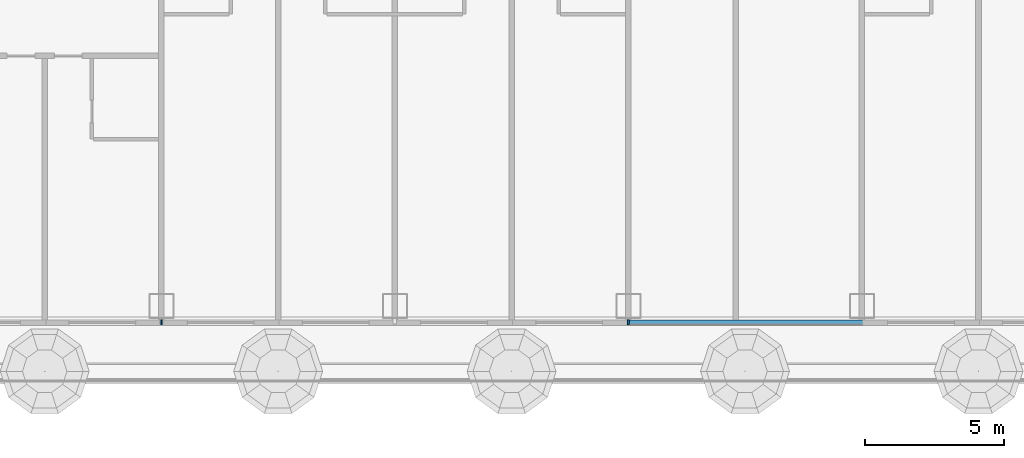
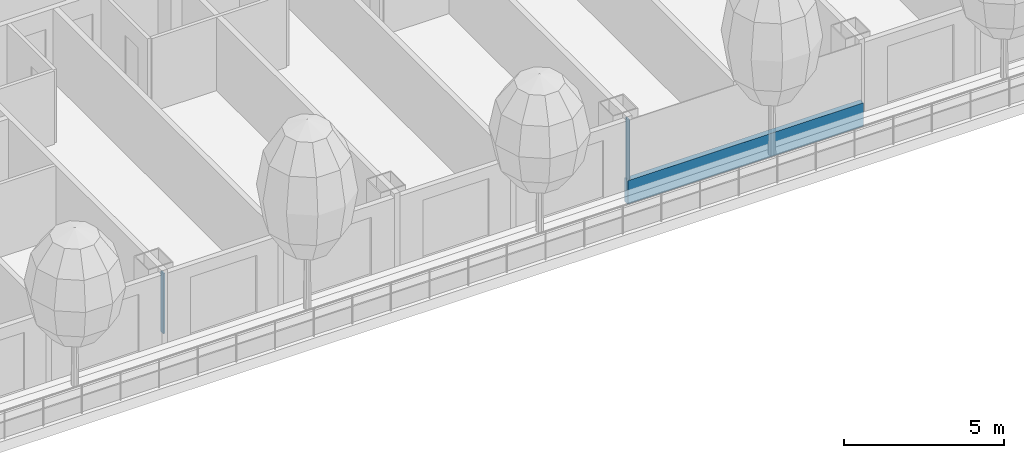
# One storey, part 4 of 37: 3 members, 1 element without a shape of its own.
"""IFC4 building model written with IfcOpenShell, lengths in metres."""

import ifcopenshell
import ifcopenshell.guid

model = None  # the IFC model being written
_history = None  # IfcOwnerHistory: only IFC2X3 demands one
_inside = {}  # id of a spatial element -> (the spatial element, [elements in it])
_under = {}  # id of a project, library or spatial element -> (it, [spatial elements below it])
_declared = {}  # id of a project -> (the project, [libraries it declares])
_typed = {}  # id of a type object -> (the type object, [elements of that type])
_made_of = {}  # id of a material, layer set ... -> (it, [elements and type objects made of it])


def new_model(schema):
    """Start an empty IFC model of exactly this schema.

    Asked for "IFC4X3", IfcOpenShell would pick the latest addendum, in which some entities
    have other attributes; the version numbers below select the first issue.
    IFC2X3 requires an IfcOwnerHistory on every rooted entity: one is made here for all.
    """
    global model, _history
    if schema == "IFC4X3":
        model = ifcopenshell.file(schema_version=(4, 3, 0, 0))
    else:
        model = ifcopenshell.file(schema=schema)
    _inside.clear()
    _under.clear()
    _declared.clear()
    _typed.clear()
    _made_of.clear()
    _history = None
    if model.schema == "IFC2X3":
        org = make("IfcOrganization", Name="unknown")
        user = make(
            "IfcPersonAndOrganization",
            ThePerson=make("IfcPerson", FamilyName="unknown"),
            TheOrganization=org,
        )
        app = make(
            "IfcApplication",
            ApplicationDeveloper=org,
            Version="unknown",
            ApplicationFullName="unknown",
            ApplicationIdentifier="unknown",
        )
        _history = make(
            "IfcOwnerHistory",
            OwningUser=user,
            OwningApplication=app,
            ChangeAction="ADDED",
            CreationDate=0,
        )
    return model


def make(cls, **values):
    """One entity of the class cls with the attributes given. An attribute that is None is left unset."""
    return model.create_entity(
        cls, **{name: value for name, value in values.items() if value is not None}
    )


def rooted(cls, **values):
    """An entity with a GlobalId (a new one), such as an element, a storey or a relation."""
    return make(cls, GlobalId=ifcopenshell.guid.new(), OwnerHistory=_history, **values)


def si_unit(unit_type, name, prefix=None):
    """IfcSIUnit, for example si_unit("LENGTHUNIT", "METRE", prefix="MILLI")."""
    return make("IfcSIUnit", UnitType=unit_type, Prefix=prefix, Name=name)


def assignment(units):
    """IfcUnitAssignment: the units of a project."""
    return None if units is None else make("IfcUnitAssignment", Units=units)


def point(xyz):
    """IfcCartesianPoint."""
    return None if xyz is None else make("IfcCartesianPoint", Coordinates=xyz)


def direction(xyz):
    """IfcDirection."""
    return None if xyz is None else make("IfcDirection", DirectionRatios=xyz)


def frame(location, z_axis=None, x_axis=None):
    """IfcAxis2Placement3D, a coordinate frame: its origin and axes. An axis left out is left unset."""
    return make(
        "IfcAxis2Placement3D",
        Location=point(location),
        Axis=direction(z_axis),
        RefDirection=direction(x_axis),
    )


def frame_2d(location, x_axis=None):
    """IfcAxis2Placement2D, a coordinate frame in the plane: its origin and x axis."""
    return make(
        "IfcAxis2Placement2D", Location=point(location), RefDirection=direction(x_axis)
    )


def origin():
    """The frame at (0, 0, 0) with its axes left unset."""
    return frame((0.0, 0.0, 0.0))


def origin_2d():
    """The frame at (0, 0) in the plane with its x axis left unset."""
    return frame_2d((0.0, 0.0))


def place(relative_to, where):
    """IfcLocalPlacement: puts the frame where relative to a parent placement (None: the world)."""
    return make(
        "IfcLocalPlacement", PlacementRelTo=relative_to, RelativePlacement=where
    )


def context(
    kind, dimensions, precision=None, world=None, true_north=None, identifier=None
):
    """IfcGeometricRepresentationContext, for example the 3D "Model" context."""
    return make(
        "IfcGeometricRepresentationContext",
        ContextIdentifier=identifier,
        ContextType=kind,
        CoordinateSpaceDimension=dimensions,
        Precision=precision,
        WorldCoordinateSystem=world,
        TrueNorth=true_north,
    )


def subcontext(parent, identifier, kind, view, scale=None):
    """IfcGeometricRepresentationSubContext, for example "Body" below "Model"."""
    return make(
        "IfcGeometricRepresentationSubContext",
        ContextIdentifier=identifier,
        ContextType=kind,
        ParentContext=parent,
        TargetScale=scale,
        TargetView=view,
    )


def project(units=None, contexts=None):
    """IfcProject with its units and contexts."""
    return rooted(
        "IfcProject",
        Name="project",
        RepresentationContexts=contexts,
        UnitsInContext=assignment(units),
    )


def spatial(cls, under=None, at=None, **own):
    """A site, building, storey or space (cls), placed at a placement, below another one or the project."""
    s = rooted(cls, ObjectPlacement=at, **own)
    if under is not None:
        _under.setdefault(under.id(), (under, []))[1].append(s)
    return s


def profile(cls, at=None, kind="AREA", **sizes):
    """A parametric profile (cls). Its sizes go by their IFC names, for example OverallWidth=200.0."""
    return make(cls, ProfileType=kind, Position=at, **sizes)


def rectangle(**sizes):
    """IfcRectangleProfileDef."""
    return profile("IfcRectangleProfileDef", **sizes)


def extrude(swept, where, along, depth):
    """IfcExtrudedAreaSolid: the profile swept, set in the frame where, extruded along a direction by depth."""
    return make(
        "IfcExtrudedAreaSolid",
        SweptArea=swept,
        Position=where,
        ExtrudedDirection=direction(along),
        Depth=depth,
    )


def shape(context_of_items, identifier, shape_type, items):
    """IfcShapeRepresentation: the items that make up one representation, for example the "Body"."""
    return make(
        "IfcShapeRepresentation",
        ContextOfItems=context_of_items,
        RepresentationIdentifier=identifier,
        RepresentationType=shape_type,
        Items=items,
    )


def material(Name=None, Category=None):
    """IfcMaterial."""
    return make("IfcMaterial", Name=Name, Category=Category)


def layer(
    of_material, thickness, ventilated=None, Name=None, Category=None, Priority=None
):
    """IfcMaterialLayer: one layer of a wall or slab, of a material (None: an air gap)."""
    return make(
        "IfcMaterialLayer",
        Material=of_material,
        LayerThickness=thickness,
        IsVentilated=ventilated,
        Name=Name,
        Category=Category,
        Priority=Priority,
    )


def layer_set(layers, Name=None):
    """IfcMaterialLayerSet."""
    return make("IfcMaterialLayerSet", MaterialLayers=layers, LayerSetName=Name)


def material_profile(
    of_material, cross_section, Name=None, Category=None, Priority=None
):
    """IfcMaterialProfile: a cross section and its material."""
    return make(
        "IfcMaterialProfile",
        Name=Name,
        Material=of_material,
        Profile=cross_section,
        Priority=Priority,
        Category=Category,
    )


def profile_set(profiles, Name=None, composite=None):
    """IfcMaterialProfileSet."""
    return make(
        "IfcMaterialProfileSet",
        Name=Name,
        MaterialProfiles=profiles,
        CompositeProfile=composite,
    )


def made_of(thing, what):
    """Note that an element or type object is made of a material, layer set ...; save() writes the relation."""
    if what is not None:
        _made_of.setdefault(what.id(), (what, []))[1].append(thing)
    return thing


def type_object(cls, material=None, **own):
    """A type object (cls), such as IfcWallType, which elements share."""
    return made_of(rooted(cls, **own), material)


def element(
    cls,
    number,
    at=None,
    inside=None,
    cuts=None,
    type_object=None,
    material=None,
    context=None,
    identifier="Body",
    shape_type=None,
    held_by="IfcProductDefinitionShape",
    body=None,
    shapes=None,
    **own,
):
    """One element of the class cls, such as IfcWall. Its Tag is "e" and its number.

    at: its placement. inside: the storey or other place that contains it. cuts: it is an
    opening in that element (IfcRelVoidsElement). A single representation is given by context,
    identifier, shape_type and body (its items); several are given by shapes. held_by: the class
    of the entity that holds the representations. save() writes the other relations.
    """
    e = rooted(cls, Tag="e%d" % number, ObjectPlacement=at, **own)
    if body is not None:
        shapes = [shape(context, identifier, shape_type, body)]
    if shapes is not None:
        e.Representation = make(held_by, Representations=shapes)
    if inside is not None:
        _inside.setdefault(inside.id(), (inside, []))[1].append(e)
    if cuts is not None:
        rooted(
            "IfcRelVoidsElement", RelatingBuildingElement=cuts, RelatedOpeningElement=e
        )
    if type_object is not None:
        _typed.setdefault(type_object.id(), (type_object, []))[1].append(e)
    return made_of(e, material)


def aggregate(whole, parts):
    """IfcRelAggregates: a whole, such as a stair, and the parts it consists of."""
    return rooted("IfcRelAggregates", RelatingObject=whole, RelatedObjects=parts)


def save(model, path):
    """Write the relations noted so far, then the file.

    IfcRelAggregates (storeys below a building ...), IfcRelContainedInSpatialStructure (elements
    in a storey), IfcRelDefinesByType, IfcRelAssociatesMaterial and IfcRelDeclares: one each for
    every whole, place, type object, material and project.
    """
    for whole, parts in _under.values():
        aggregate(whole, parts)
    for where, things in _inside.values():
        rooted(
            "IfcRelContainedInSpatialStructure",
            RelatedElements=things,
            RelatingStructure=where,
        )
    for kind, things in _typed.values():
        rooted("IfcRelDefinesByType", RelatedObjects=things, RelatingType=kind)
    for what, things in _made_of.values():
        rooted("IfcRelAssociatesMaterial", RelatedObjects=things, RelatingMaterial=what)
    for by, libraries in _declared.values():
        rooted("IfcRelDeclares", RelatingContext=by, RelatedDefinitions=libraries)
    model.write(path)


model = new_model("IFC4")

# Units and contexts
model_context = context("Model", 3, precision=1e-05, world=origin(), true_north=direction((0.0, 1.0)))
body_context = subcontext(model_context, "Body", "Model", "MODEL_VIEW")
ifc_project = project(units=[si_unit("LENGTHUNIT", "METRE"), si_unit("AREAUNIT", "SQUARE_METRE"), si_unit("VOLUMEUNIT", "CUBIC_METRE"), si_unit("PLANEANGLEUNIT", "RADIAN"), si_unit("MASSUNIT", "GRAM", prefix="KILO")], contexts=[model_context])

# Site, building, storey
site_placement = place(None, origin())
site = spatial("IfcSite", under=ifc_project, at=site_placement, CompositionType="ELEMENT")
building_placement = place(site_placement, origin())
building = spatial("IfcBuilding", under=site, at=building_placement, Name="Hakoniwa Tower and Hamabe Station Hall", CompositionType="ELEMENT")
storey_placement = place(building_placement, frame((0.0, 0.0, 39.0)))
storey = spatial("IfcBuildingStorey", under=building, at=storey_placement, Name="L10", CompositionType="ELEMENT", Elevation=39.0)

# Curtain wall, members
ifc_material_1 = material(Name="Dark low-e laminated glass", Category="glass")
ifc_layer = layer(ifc_material_1, 0.199951171875)
ifc_layer_set = layer_set([ifc_layer], Name="CW-1 UNITISED GUEST")
curtain_wall_type = type_object("IfcCurtainWallType", Name="CW-1 UNITISED GUEST", PredefinedType="NOTDEFINED", material=ifc_layer_set)
curtain_wall_placement = place(storey_placement, origin())
curtain_wall = element("IfcCurtainWall", 1, at=curtain_wall_placement, inside=storey, type_object=curtain_wall_type, Name="CW-1 curtain wall", PredefinedType="NOTDEFINED")
ifc_material_2 = material(Name="Aluminium 6063-T5 black anodised", Category="aluminium")
ifc_material_profile_1 = material_profile(ifc_material_2, rectangle(XDim=0.199951171875, YDim=0.89990234375, at=origin_2d()), Name="CW SLAB-EDGE BAND 900X200")
ifc_profile_set_1 = profile_set([ifc_material_profile_1], Name="Aluminium 6063-T5 black anodised")
member_type_1 = type_object("IfcMemberType", Name="CW SLAB-EDGE BAND 900X200", PredefinedType="USERDEFINED", material=ifc_profile_set_1)
member_1_placement = place(storey_placement, frame((-0.06005859375, -20.199951171875, -0.10009765625), z_axis=(1.0, 0.0, 0.0), x_axis=(0.0, 1.0, 0.0)))
member_1 = element("IfcMember", 2, at=member_1_placement, type_object=member_type_1, Name="CW-1 transom", ObjectType="TRANSOM", PredefinedType="USERDEFINED", context=body_context, shape_type="SweptSolid", body=[
    extrude(rectangle(XDim=0.199951171875, YDim=0.89990234375, at=origin_2d()), origin(), (0.0, 0.0, 1.0), 8.52001953125),
])
ifc_material_3 = material(Name="Aluminium 6063-T5 black anodised", Category="aluminium")
ifc_material_profile_2 = material_profile(ifc_material_3, rectangle(XDim=0.06005859375, YDim=0.179931640625, at=origin_2d()), Name="CW-1 MULLION 60X180")
ifc_profile_set_2 = profile_set([ifc_material_profile_2], Name="Aluminium 6063-T5 black anodised")
member_type_2 = type_object("IfcMemberType", Name="CW-1 MULLION 60X180", PredefinedType="MULLION", material=ifc_profile_set_2)
member_2_placement = place(storey_placement, frame((-16.800048828125, -20.181884765625, 0.35009765625), z_axis=(0.0, 0.0, 1.0), x_axis=(1.0, 0.0, 0.0)))
member_2 = element("IfcMember", 3, at=member_2_placement, type_object=member_type_2, Name="CW-1 mullion", PredefinedType="MULLION", context=body_context, shape_type="SweptSolid", body=[
    extrude(rectangle(XDim=0.06005859375, YDim=0.179931640625, at=origin_2d()), origin(), (0.0, 0.0, 1.0), 2.2998046875),
])
member_3_placement = place(storey_placement, frame((0.0, -20.181884765625, 0.35009765625), z_axis=(0.0, 0.0, 1.0), x_axis=(1.0, 0.0, 0.0)))
member_3 = element("IfcMember", 4, at=member_3_placement, type_object=member_type_2, Name="CW-1 mullion", PredefinedType="MULLION", context=body_context, shape_type="SweptSolid", body=[
    extrude(rectangle(XDim=0.06005859375, YDim=0.179931640625, at=origin_2d()), origin(), (0.0, 0.0, 1.0), 2.2998046875),
])
aggregate(curtain_wall, [member_2, member_3, member_1])

save(model, "model.ifc")
